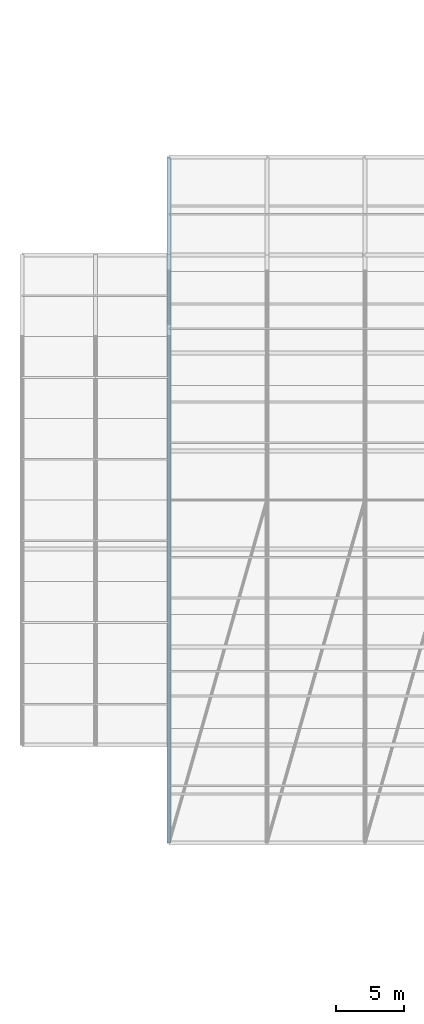
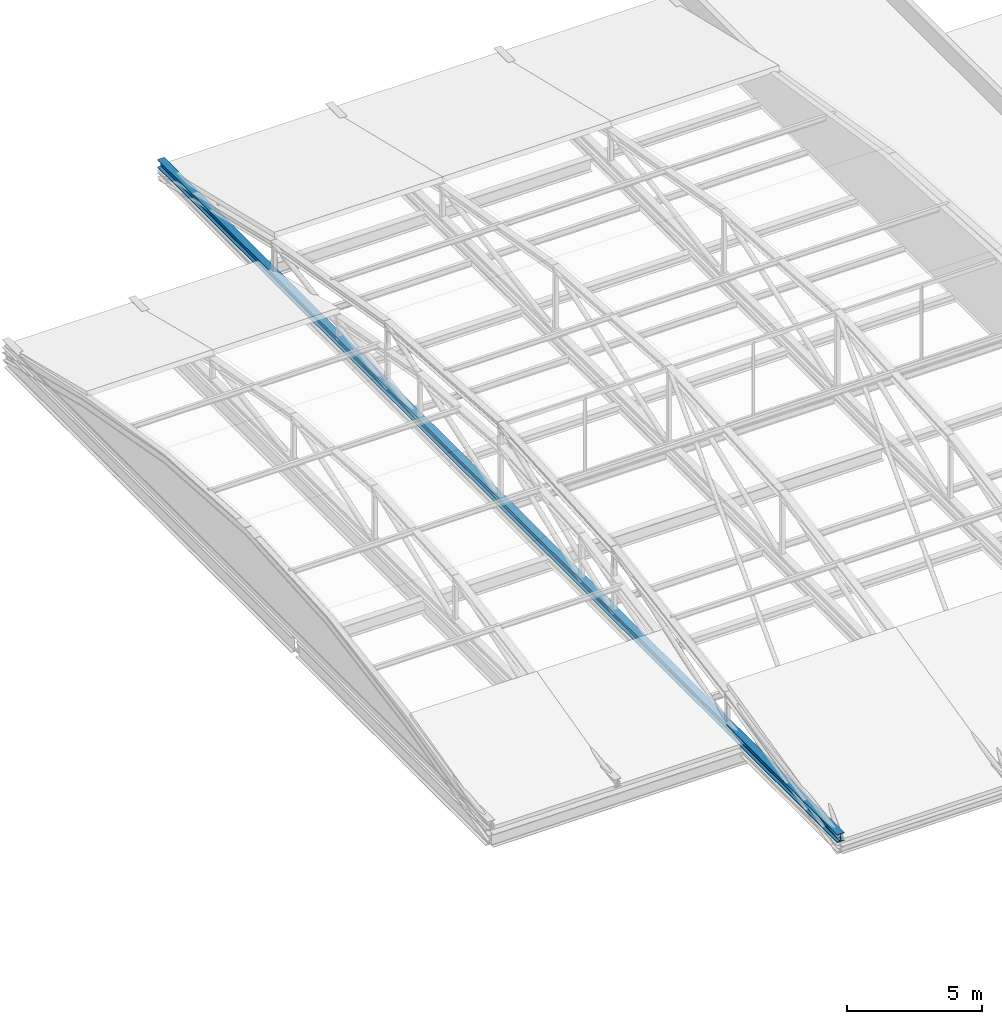
# One storey, part 26 of 76: 1 member.
"""IFC4 building model written with IfcOpenShell, lengths in metres."""

from ifc_helpers import new_model, si_unit, direction, frame, origin, origin_2d, place, context, subcontext, project, spatial, i_section, extrude, material, material_profile, profile_set, type_object, element, save


model = new_model("IFC4")

# Units and contexts
model_context = context("Model", 3, precision=1e-05, world=origin(), true_north=direction((0.0, 1.0)))
body_context = subcontext(model_context, "Body", "Model", "MODEL_VIEW")
ifc_project = project(units=[si_unit("LENGTHUNIT", "METRE"), si_unit("AREAUNIT", "SQUARE_METRE"), si_unit("VOLUMEUNIT", "CUBIC_METRE"), si_unit("PLANEANGLEUNIT", "RADIAN"), si_unit("MASSUNIT", "GRAM", prefix="KILO")], contexts=[model_context])

# Site, building, storey
site_placement = place(None, origin())
site = spatial("IfcSite", under=ifc_project, at=site_placement, CompositionType="ELEMENT")
building_placement = place(site_placement, origin())
building = spatial("IfcBuilding", under=site, at=building_placement, Name="Zlatovets Crest Museum", CompositionType="ELEMENT")
storey_placement = place(building_placement, frame((0.0, 0.0, 17.10009765625)))
storey = spatial("IfcBuildingStorey", under=building, at=storey_placement, Name="L04", CompositionType="ELEMENT", Elevation=17.10009765625)

# Member
ifc_material = material(Name="Structural steel S355J2", Category="steel")
ifc_material_profile = material_profile(ifc_material, i_section(OverallWidth=0.300048828125, OverallDepth=0.360107421875, WebThickness=0.012451171875, FlangeThickness=0.0224609375, FilletRadius=0.027099609375, at=origin_2d()), Name="HEB 360")
ifc_profile_set = profile_set([ifc_material_profile], Name="Structural steel S355J2")
member_type = type_object("IfcMemberType", Name="Member_TM-01", PredefinedType="CHORD", material=ifc_profile_set)
member_placement = place(storey_placement, frame((7.199951171875, 50.39990234375, 0.079833984375), z_axis=(0.0, 1.0, 0.0), x_axis=(-1.0, 0.0, 0.0)))
element("IfcMember", 1, at=member_placement, inside=storey, type_object=member_type, Name="V4 Art Nouveau Barrel Vault Tie Chord", PredefinedType="CHORD", context=body_context, shape_type="SweptSolid", body=[
    extrude(i_section(OverallWidth=0.300048828125, OverallDepth=0.360107421875, WebThickness=0.012451171875, FlangeThickness=0.0224609375, FilletRadius=0.027099609375, at=origin_2d()), origin(), (0.0, 0.0, 1.0), 50.400146484375),
])

save(model, "model.ifc")
